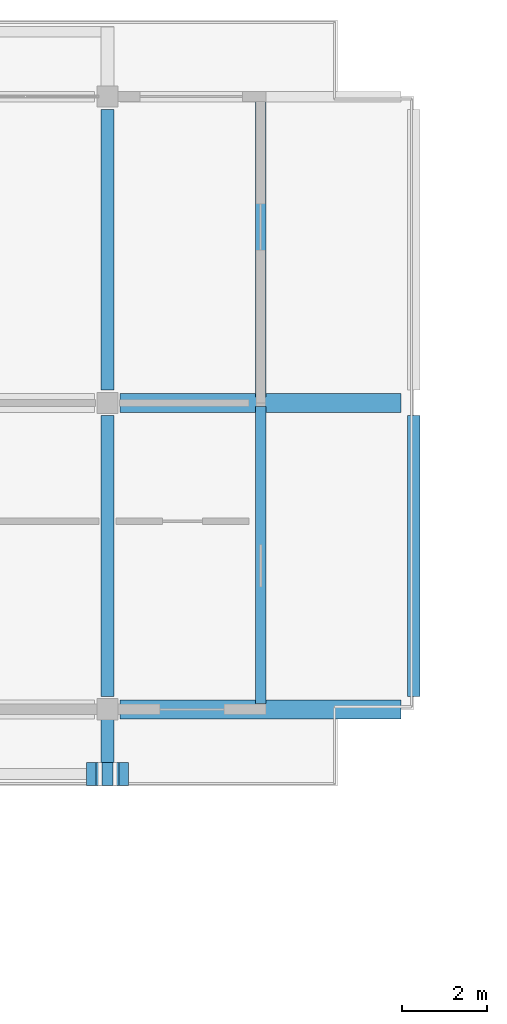
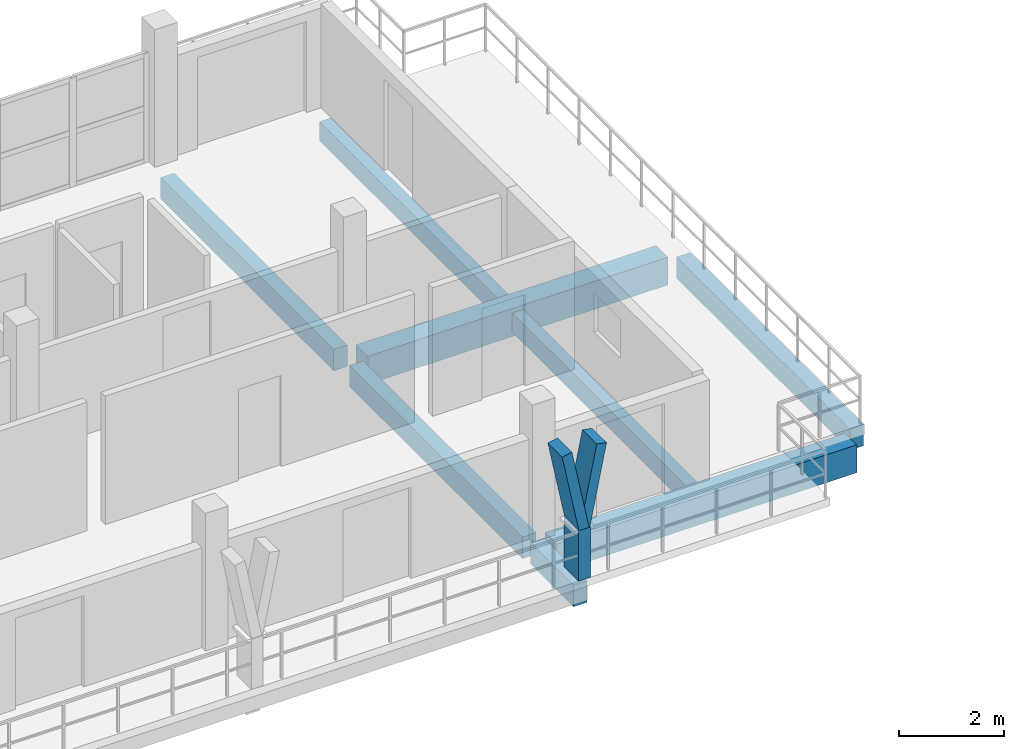
# One storey, part 14 of 45: 8 beams, 3 members.
"""IFC4 building model written with IfcOpenShell, lengths in metres."""

from ifc_helpers import new_model, si_unit, direction, frame, origin, origin_2d, place, context, subcontext, project, spatial, rectangle, extrude, material, material_profile, profile_set, type_object, element, save


model = new_model("IFC4")

# Units and contexts
model_context = context("Model", 3, precision=1e-05, world=origin(), true_north=direction((0.0, 1.0)))
body_context = subcontext(model_context, "Body", "Model", "MODEL_VIEW")
ifc_project = project(units=[si_unit("LENGTHUNIT", "METRE"), si_unit("AREAUNIT", "SQUARE_METRE"), si_unit("VOLUMEUNIT", "CUBIC_METRE"), si_unit("PLANEANGLEUNIT", "RADIAN"), si_unit("MASSUNIT", "GRAM", prefix="KILO")], contexts=[model_context])

# Site, building, storey
site_placement = place(None, origin())
site = spatial("IfcSite", under=ifc_project, at=site_placement, CompositionType="ELEMENT")
building_placement = place(site_placement, origin())
building = spatial("IfcBuilding", under=site, at=building_placement, Name="Suanplinth Sawtooth Commons", CompositionType="ELEMENT")
storey_placement = place(building_placement, frame((0.0, 0.0, 38.0)))
storey = spatial("IfcBuildingStorey", under=building, at=storey_placement, Name="L11", CompositionType="ELEMENT", Elevation=38.0)

# Beams
ifc_material_1 = material(Name="Precast concrete C40/50", Category="concrete")
ifc_material_profile_1 = material_profile(ifc_material_1, rectangle(XDim=0.449951171875, YDim=0.64990234375, at=origin_2d()), Name="PC-GDR 450x650")
ifc_profile_set_1 = profile_set([ifc_material_profile_1], Name="Precast concrete C40/50")
beam_type_1 = type_object("IfcBeamType", Name="B-04", PredefinedType="USERDEFINED", material=ifc_profile_set_1)
for number, where, z_axis, x_axis, name in (
    (1, (86.699951171875, 108.0, -0.56494140625), (1.0, 0.0, 0.0), (0.0, 1.0, 0.0), "BMX-L11-A-12-15"),
    (2, (86.699951171875, 115.199951171875, -0.56494140625), (1.0, 0.0, 0.0), (0.0, 1.0, 0.0), "BMX-L11-A-12-16"),
):
    element("IfcBeam", number, at=place(storey_placement, frame(where, z_axis=z_axis, x_axis=x_axis)), inside=storey, type_object=beam_type_1, Name=name, ObjectType="GIRDER", PredefinedType="USERDEFINED", context=body_context, shape_type="SweptSolid", body=[
        extrude(rectangle(XDim=0.449951171875, YDim=0.64990234375, at=origin_2d()), origin(), (0.0, 0.0, 1.0), 6.60009765625),
    ])
ifc_material_profile_2 = material_profile(ifc_material_1, rectangle(XDim=0.300048828125, YDim=0.5, at=origin_2d()), Name="PC-BM 300x500")
ifc_profile_set_2 = profile_set([ifc_material_profile_2], Name="Precast concrete C40/50")
beam_type_2 = type_object("IfcBeamType", Name="B-07", PredefinedType="BEAM", material=ifc_profile_set_2)
beam_1_placement = place(storey_placement, frame((86.39990234375, 108.300048828125, -0.489990234375), z_axis=(0.0, 1.0, 0.0), x_axis=(-1.0, 0.0, 0.0)))
element("IfcBeam", 3, at=beam_1_placement, inside=storey, type_object=beam_type_2, Name="BMY-L11-A-12-15", PredefinedType="BEAM", context=body_context, shape_type="SweptSolid", body=[
    extrude(rectangle(XDim=0.300048828125, YDim=0.5, at=origin_2d()), origin(), (0.0, 0.0, 1.0), 6.599853515625),
])
beam_2_placement = place(storey_placement, frame((86.39990234375, 115.5, -0.489990234375), z_axis=(0.0, 1.0, 0.0), x_axis=(-1.0, 0.0, 0.0)))
element("IfcBeam", 4, at=beam_2_placement, inside=storey, type_object=beam_type_2, Name="BMY-L11-A-12-16", PredefinedType="BEAM", context=body_context, shape_type="SweptSolid", body=[
    extrude(rectangle(XDim=0.300048828125, YDim=0.5, at=origin_2d()), origin(), (0.0, 0.0, 1.0), 6.60009765625),
])
beam_3_placement = place(storey_placement, frame((93.60009765625, 108.300048828125, -0.489990234375), z_axis=(0.0, 1.0, 0.0), x_axis=(-1.0, 0.0, 0.0)))
element("IfcBeam", 5, at=beam_3_placement, inside=storey, type_object=beam_type_2, Name="BMY-L11-A-13-15", PredefinedType="BEAM", context=body_context, shape_type="SweptSolid", body=[
    extrude(rectangle(XDim=0.300048828125, YDim=0.5, at=origin_2d()), origin(), (0.0, 0.0, 1.0), 6.599853515625),
])
beam_4_placement = place(storey_placement, frame((86.39990234375, 108.0, -0.429931640625), z_axis=(0.0, -1.0, 0.0), x_axis=(1.0, 0.0, 0.0)))
element("IfcBeam", 6, at=beam_4_placement, inside=storey, type_object=beam_type_2, Name="Balcony Outrigger L11-A-S-12", PredefinedType="BEAM", context=body_context, shape_type="SweptSolid", body=[
    extrude(rectangle(XDim=0.300048828125, YDim=0.5, at=origin_2d()), origin(), (0.0, 0.0, 1.0), 1.639892578125),
])
ifc_material_profile_3 = material_profile(ifc_material_1, rectangle(XDim=0.25, YDim=0.449951171875, at=origin_2d()), Name="PC-SP 250x450")
ifc_profile_set_3 = profile_set([ifc_material_profile_3], Name="Precast concrete C40/50")
beam_type_3 = type_object("IfcBeamType", Name="B-09", PredefinedType="SPANDREL", material=ifc_profile_set_3)
beam_5_placement = place(storey_placement, frame((90.0, 108.139892578125, -0.56494140625), z_axis=(0.0, 1.0, 0.0), x_axis=(-1.0, 0.0, 0.0)))
element("IfcBeam", 7, at=beam_5_placement, inside=storey, type_object=beam_type_3, Name="BMY-L11-A-STEP-900-15", PredefinedType="SPANDREL", context=body_context, shape_type="SweptSolid", body=[
    extrude(rectangle(XDim=0.25, YDim=0.449951171875, at=origin_2d()), origin(), (0.0, 0.0, 1.0), 6.980224609375),
])
beam_6_placement = place(storey_placement, frame((90.0, 115.340087890625, -0.56494140625), z_axis=(0.0, 1.0, 0.0), x_axis=(-1.0, 0.0, 0.0)))
element("IfcBeam", 8, at=beam_6_placement, inside=storey, type_object=beam_type_3, Name="BMY-L11-A-STEP-900-16", PredefinedType="SPANDREL", context=body_context, shape_type="SweptSolid", body=[
    extrude(rectangle(XDim=0.25, YDim=0.449951171875, at=origin_2d()), origin(), (0.0, 0.0, 1.0), 6.97998046875),
])

# Members
ifc_material_2 = material(Name="Pigmented precast concrete C40/50", Category="concrete")
ifc_material_profile_4 = material_profile(ifc_material_2, rectangle(XDim=0.260009765625, YDim=0.550048828125, at=origin_2d()), Name="PC-FIN 260x550")
ifc_profile_set_4 = profile_set([ifc_material_profile_4], Name="Pigmented precast concrete C40/50")
member_type_1 = type_object("IfcMemberType", Name="M-09", PredefinedType="USERDEFINED", material=ifc_profile_set_4)
member_1_placement = place(storey_placement, frame((86.39990234375, 106.47998046875, 0.0), z_axis=(0.0, 0.0, 1.0), x_axis=(1.0, 0.0, 0.0)))
element("IfcMember", 9, at=member_1_placement, inside=storey, type_object=member_type_1, Name="Y-Blade Stem L11-A-S-18", ObjectType="SHADING FIN", PredefinedType="USERDEFINED", context=body_context, shape_type="SweptSolid", body=[
    extrude(rectangle(XDim=0.260009765625, YDim=0.550048828125, at=origin_2d()), origin(), (0.0, 0.0, 1.0), 1.169921875),
])
ifc_material_profile_5 = material_profile(ifc_material_2, rectangle(XDim=0.219970703125, YDim=0.550048828125, at=origin_2d()), Name="PC-FIN 220x550")
ifc_profile_set_5 = profile_set([ifc_material_profile_5], Name="Pigmented precast concrete C40/50")
member_type_2 = type_object("IfcMemberType", Name="M-10", PredefinedType="USERDEFINED", material=ifc_profile_set_5)
member_2_placement = place(storey_placement, frame((86.39990234375, 106.47998046875, 1.1298828125), z_axis=(-0.196285728346, 0.0, 0.980546741796), x_axis=(0.980546741796, 0.0, 0.196285728346)))
element("IfcMember", 10, at=member_2_placement, inside=storey, type_object=member_type_2, Name="Y-Blade Arm L L11-A-S-18", ObjectType="SHADING FIN", PredefinedType="USERDEFINED", context=body_context, shape_type="SweptSolid", body=[
    extrude(rectangle(XDim=0.219970703125, YDim=0.550048828125, at=origin_2d()), origin(), (0.0, 0.0, 1.0), 1.937744140625),
])
member_3_placement = place(storey_placement, frame((86.39990234375, 106.47998046875, 1.1298828125), z_axis=(0.196406855569, 0.0, 0.980522486782), x_axis=(-0.980522486782, 0.0, 0.196406855569)))
element("IfcMember", 11, at=member_3_placement, inside=storey, type_object=member_type_2, Name="Y-Blade Arm R L11-A-S-18", ObjectType="SHADING FIN", PredefinedType="USERDEFINED", context=body_context, shape_type="SweptSolid", body=[
    extrude(rectangle(XDim=0.219970703125, YDim=0.550048828125, at=origin_2d()), origin(), (0.0, 0.0, 1.0), 1.93798828125),
])

save(model, "model.ifc")
